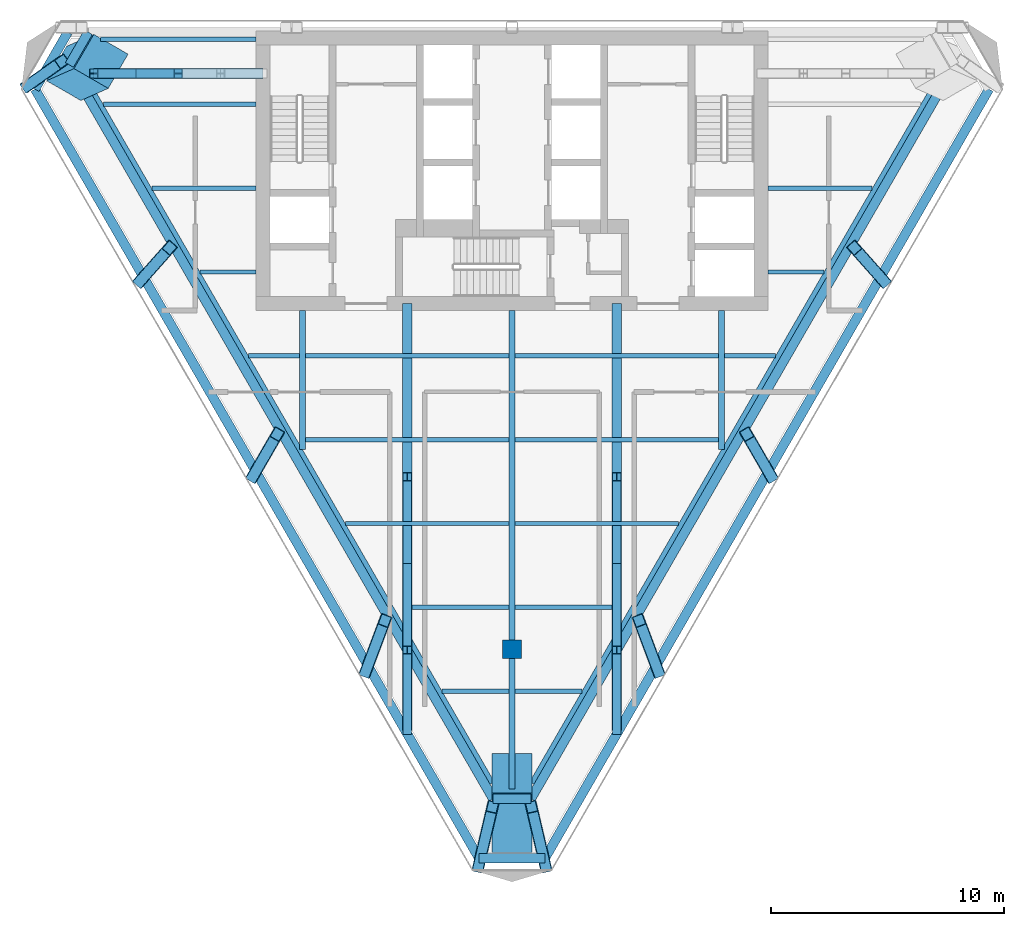
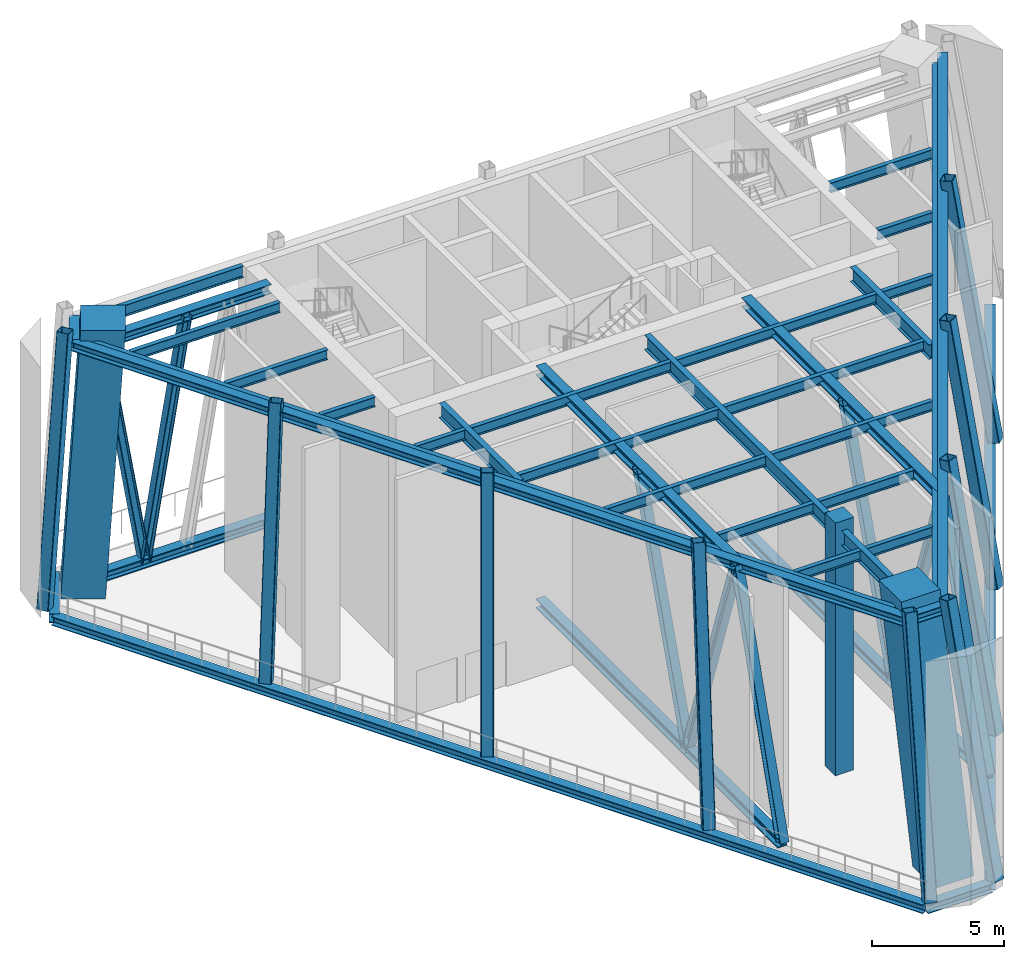
# One storey, part 1 of 11: 38 beams, 19 members, 1 column.
"""IFC4 building model written with IfcOpenShell, lengths in metres."""

from ifc_helpers import new_model, si_unit, direction, frame, origin, origin_2d, place, context, subcontext, project, spatial, rectangle, hollow_rectangle, i_section, extrude, material, material_profile, profile_set, type_object, element, save


model = new_model("IFC4")

# Units and contexts
model_context = context("Model", 3, precision=1e-05, world=origin(), true_north=direction((0.0, 1.0)))
body_context = subcontext(model_context, "Body", "Model", "MODEL_VIEW")
ifc_project = project(units=[si_unit("LENGTHUNIT", "METRE"), si_unit("AREAUNIT", "SQUARE_METRE"), si_unit("VOLUMEUNIT", "CUBIC_METRE"), si_unit("PLANEANGLEUNIT", "RADIAN"), si_unit("MASSUNIT", "GRAM", prefix="KILO")], contexts=[model_context])

# Site, building, storey
site_placement = place(None, origin())
site = spatial("IfcSite", under=ifc_project, at=site_placement, CompositionType="ELEMENT")
building_placement = place(site_placement, origin())
building = spatial("IfcBuilding", under=site, at=building_placement, Name="Aloe Facet Convention Tower", CompositionType="ELEMENT")
storey_placement = place(building_placement, frame((0.0, 0.0, 227.0)))
storey = spatial("IfcBuildingStorey", under=building, at=storey_placement, Name="L57", CompositionType="ELEMENT", Elevation=227.0)

# Column
ifc_material_1 = material(Name="Concrete C70/85", Category="concrete")
ifc_material_profile_1 = material_profile(ifc_material_1, rectangle(XDim=0.800048828125, YDim=0.800048828125, at=origin_2d()), Name="SF-GC-Z5")
ifc_profile_set_1 = profile_set([ifc_material_profile_1], Name="Concrete C70/85")
column_type = type_object("IfcColumnType", Name="SF-GC-Z5", PredefinedType="COLUMN", material=ifc_profile_set_1)
column_placement = place(storey_placement, frame((80.0, 108.0, 0.0), z_axis=(0.0, 0.0, 1.0), x_axis=(1.0, 0.0, 0.0)))
element("IfcColumn", 1, at=column_placement, inside=storey, type_object=column_type, Name="Gravity column GC-Z5-9D", PredefinedType="COLUMN", context=body_context, shape_type="SweptSolid", body=[
    extrude(rectangle(XDim=0.800048828125, YDim=0.800048828125, at=origin_2d()), origin(), (0.0, 0.0, 1.0), 11.699951171875),
])

# Beams
ifc_material_2 = material(Name="Steel S355", Category="steel")
ifc_material_profile_2 = material_profile(ifc_material_2, i_section(OverallWidth=0.19140625, OverallDepth=0.4599609375, WebThickness=0.010009765625, FlangeThickness=0.01611328125, FilletRadius=0.01025390625, at=origin_2d()), Name="UB 457x191x82")
ifc_profile_set_2 = profile_set([ifc_material_profile_2], Name="Steel S355")
beam_type_1 = type_object("IfcBeamType", Name="SF-B-UB457x191x82", PredefinedType="BEAM", material=ifc_profile_set_2)
beam_1_placement = place(storey_placement, frame((62.452392578125, 131.39990234375, 11.02001953125), z_axis=(1.0, 0.0, 0.0), x_axis=(0.0, 1.0, 0.0)))
element("IfcBeam", 2, at=beam_1_placement, inside=storey, type_object=beam_type_1, Name="Floor beam FB-Z5A-009", PredefinedType="BEAM", context=body_context, shape_type="SweptSolid", body=[
    extrude(i_section(OverallWidth=0.19140625, OverallDepth=0.4599609375, WebThickness=0.010009765625, FlangeThickness=0.01611328125, FilletRadius=0.01025390625, at=origin_2d()), origin(), (0.0, 0.0, 1.0), 6.547607421875),
])
beam_2_placement = place(storey_placement, frame((64.53076171875, 127.800048828125, 11.02001953125), z_axis=(1.0, 0.0, 0.0), x_axis=(0.0, 1.0, 0.0)))
element("IfcBeam", 3, at=beam_2_placement, inside=storey, type_object=beam_type_1, Name="Floor beam FB-Z5A-010", PredefinedType="BEAM", context=body_context, shape_type="SweptSolid", body=[
    extrude(i_section(OverallWidth=0.19140625, OverallDepth=0.4599609375, WebThickness=0.010009765625, FlangeThickness=0.01611328125, FilletRadius=0.01025390625, at=origin_2d()), origin(), (0.0, 0.0, 1.0), 4.46923828125),
])
beam_3_placement = place(storey_placement, frame((66.609130859375, 124.199951171875, 11.02001953125), z_axis=(1.0, 0.0, 0.0), x_axis=(0.0, 1.0, 0.0)))
element("IfcBeam", 4, at=beam_3_placement, inside=storey, type_object=beam_type_1, Name="Floor beam FB-Z5A-011", PredefinedType="BEAM", context=body_context, shape_type="SweptSolid", body=[
    extrude(i_section(OverallWidth=0.19140625, OverallDepth=0.4599609375, WebThickness=0.010009765625, FlangeThickness=0.01611328125, FilletRadius=0.01025390625, at=origin_2d()), origin(), (0.0, 0.0, 1.0), 2.390869140625),
])
beam_4_placement = place(storey_placement, frame((68.687744140625, 120.60009765625, 11.02001953125), z_axis=(1.0, 0.0, 0.0), x_axis=(0.0, 1.0, 0.0)))
element("IfcBeam", 5, at=beam_4_placement, inside=storey, type_object=beam_type_1, Name="Floor beam FB-Z5A-012", PredefinedType="BEAM", context=body_context, shape_type="SweptSolid", body=[
    extrude(i_section(OverallWidth=0.19140625, OverallDepth=0.4599609375, WebThickness=0.010009765625, FlangeThickness=0.01611328125, FilletRadius=0.01025390625, at=origin_2d()), origin(), (0.0, 0.0, 1.0), 2.185791015625),
])
for number, where, z_axis, x_axis, name in (
    (6, (71.12646484375, 117.0, 11.02001953125), (1.0, 0.0, 0.0), (0.0, 1.0, 0.0), "Floor beam FB-Z5A-013"),
    (7, (71.12646484375, 120.60009765625, 11.02001953125), (1.0, 0.0, 0.0), (0.0, 1.0, 0.0), "Floor beam FB-Z5A-014"),
):
    element("IfcBeam", number, at=place(storey_placement, frame(where, z_axis=z_axis, x_axis=x_axis)), inside=storey, type_object=beam_type_1, Name=name, PredefinedType="BEAM", context=body_context, shape_type="SweptSolid", body=[
        extrude(i_section(OverallWidth=0.19140625, OverallDepth=0.4599609375, WebThickness=0.010009765625, FlangeThickness=0.01611328125, FilletRadius=0.01025390625, at=origin_2d()), origin(), (0.0, 0.0, 1.0), 8.7470703125),
    ])
beam_5_placement = place(storey_placement, frame((72.844482421875, 113.39990234375, 11.02001953125), z_axis=(1.0, 0.0, 0.0), x_axis=(0.0, 1.0, 0.0)))
element("IfcBeam", 8, at=beam_5_placement, inside=storey, type_object=beam_type_1, Name="Floor beam FB-Z5A-015", PredefinedType="BEAM", context=body_context, shape_type="SweptSolid", body=[
    extrude(i_section(OverallWidth=0.19140625, OverallDepth=0.4599609375, WebThickness=0.010009765625, FlangeThickness=0.01611328125, FilletRadius=0.01025390625, at=origin_2d()), origin(), (0.0, 0.0, 1.0), 7.029052734375),
])
beam_6_placement = place(storey_placement, frame((75.7099609375, 109.800048828125, 11.02001953125), z_axis=(1.0, 0.0, 0.0), x_axis=(0.0, 1.0, 0.0)))
element("IfcBeam", 9, at=beam_6_placement, inside=storey, type_object=beam_type_1, Name="Floor beam FB-Z5A-016", PredefinedType="BEAM", context=body_context, shape_type="SweptSolid", body=[
    extrude(i_section(OverallWidth=0.19140625, OverallDepth=0.4599609375, WebThickness=0.010009765625, FlangeThickness=0.01611328125, FilletRadius=0.01025390625, at=origin_2d()), origin(), (0.0, 0.0, 1.0), 4.16357421875),
])
for number, where, z_axis, x_axis, name in (
    (10, (77.00146484375, 106.199951171875, 11.02001953125), (1.0, 0.0, 0.0), (0.0, 1.0, 0.0), "Floor beam FB-Z5A-017"),
    (11, (80.12646484375, 106.199951171875, 11.02001953125), (1.0, 0.0, 0.0), (0.0, 1.0, 0.0), "Floor beam FB-Z5A-018"),
):
    element("IfcBeam", number, at=place(storey_placement, frame(where, z_axis=z_axis, x_axis=x_axis)), inside=storey, type_object=beam_type_1, Name=name, PredefinedType="BEAM", context=body_context, shape_type="SweptSolid", body=[
        extrude(i_section(OverallWidth=0.19140625, OverallDepth=0.4599609375, WebThickness=0.010009765625, FlangeThickness=0.01611328125, FilletRadius=0.01025390625, at=origin_2d()), origin(), (0.0, 0.0, 1.0), 2.8720703125),
    ])
beam_7_placement = place(storey_placement, frame((80.12646484375, 109.800048828125, 11.02001953125), z_axis=(1.0, 0.0, 0.0), x_axis=(0.0, 1.0, 0.0)))
element("IfcBeam", 12, at=beam_7_placement, inside=storey, type_object=beam_type_1, Name="Floor beam FB-Z5A-019", PredefinedType="BEAM", context=body_context, shape_type="SweptSolid", body=[
    extrude(i_section(OverallWidth=0.19140625, OverallDepth=0.4599609375, WebThickness=0.010009765625, FlangeThickness=0.01611328125, FilletRadius=0.01025390625, at=origin_2d()), origin(), (0.0, 0.0, 1.0), 4.16357421875),
])
beam_8_placement = place(storey_placement, frame((80.12646484375, 113.39990234375, 11.02001953125), z_axis=(1.0, 0.0, 0.0), x_axis=(0.0, 1.0, 0.0)))
element("IfcBeam", 13, at=beam_8_placement, inside=storey, type_object=beam_type_1, Name="Floor beam FB-Z5A-020", PredefinedType="BEAM", context=body_context, shape_type="SweptSolid", body=[
    extrude(i_section(OverallWidth=0.19140625, OverallDepth=0.4599609375, WebThickness=0.010009765625, FlangeThickness=0.01611328125, FilletRadius=0.01025390625, at=origin_2d()), origin(), (0.0, 0.0, 1.0), 7.029052734375),
])
for number, where, z_axis, x_axis, name in (
    (14, (80.12646484375, 117.0, 11.02001953125), (1.0, 0.0, 0.0), (0.0, 1.0, 0.0), "Floor beam FB-Z5A-021"),
    (15, (80.12646484375, 120.60009765625, 11.02001953125), (1.0, 0.0, 0.0), (0.0, 1.0, 0.0), "Floor beam FB-Z5A-022"),
):
    element("IfcBeam", number, at=place(storey_placement, frame(where, z_axis=z_axis, x_axis=x_axis)), inside=storey, type_object=beam_type_1, Name=name, PredefinedType="BEAM", context=body_context, shape_type="SweptSolid", body=[
        extrude(i_section(OverallWidth=0.19140625, OverallDepth=0.4599609375, WebThickness=0.010009765625, FlangeThickness=0.01611328125, FilletRadius=0.01025390625, at=origin_2d()), origin(), (0.0, 0.0, 1.0), 8.7470703125),
    ])
beam_9_placement = place(storey_placement, frame((89.12646484375, 120.60009765625, 11.02001953125), z_axis=(1.0, 0.0, 0.0), x_axis=(0.0, 1.0, 0.0)))
element("IfcBeam", 16, at=beam_9_placement, inside=storey, type_object=beam_type_1, Name="Floor beam FB-Z5A-023", PredefinedType="BEAM", context=body_context, shape_type="SweptSolid", body=[
    extrude(i_section(OverallWidth=0.19140625, OverallDepth=0.4599609375, WebThickness=0.010009765625, FlangeThickness=0.01611328125, FilletRadius=0.01025390625, at=origin_2d()), origin(), (0.0, 0.0, 1.0), 2.185791015625),
])
beam_10_placement = place(storey_placement, frame((91.0, 124.199951171875, 11.02001953125), z_axis=(1.0, 0.0, 0.0), x_axis=(0.0, 1.0, 0.0)))
element("IfcBeam", 17, at=beam_10_placement, inside=storey, type_object=beam_type_1, Name="Floor beam FB-Z5A-024", PredefinedType="BEAM", context=body_context, shape_type="SweptSolid", body=[
    extrude(i_section(OverallWidth=0.19140625, OverallDepth=0.4599609375, WebThickness=0.010009765625, FlangeThickness=0.01611328125, FilletRadius=0.01025390625, at=origin_2d()), origin(), (0.0, 0.0, 1.0), 2.390869140625),
])
beam_11_placement = place(storey_placement, frame((91.0, 127.800048828125, 11.02001953125), z_axis=(1.0, 0.0, 0.0), x_axis=(0.0, 1.0, 0.0)))
element("IfcBeam", 18, at=beam_11_placement, inside=storey, type_object=beam_type_1, Name="Floor beam FB-Z5A-025", PredefinedType="BEAM", context=body_context, shape_type="SweptSolid", body=[
    extrude(i_section(OverallWidth=0.19140625, OverallDepth=0.4599609375, WebThickness=0.010009765625, FlangeThickness=0.01611328125, FilletRadius=0.01025390625, at=origin_2d()), origin(), (0.0, 0.0, 1.0), 4.46923828125),
])
ifc_material_3 = material(Name="Steel S355", Category="steel")
ifc_material_profile_3 = material_profile(ifc_material_3, i_section(OverallWidth=0.209228515625, OverallDepth=0.533203125, WebThickness=0.010009765625, FlangeThickness=0.015625, FilletRadius=0.0126953125, at=origin_2d()), Name="UB 533x210x92")
ifc_profile_set_3 = profile_set([ifc_material_profile_3], Name="Steel S355")
beam_type_2 = type_object("IfcBeamType", Name="SF-B-UB533x210x92", PredefinedType="BEAM", material=ifc_profile_set_3)
beam_12_placement = place(storey_placement, frame((62.32763671875, 134.1953125, 10.9833984375), z_axis=(1.0, 0.0, 0.0), x_axis=(0.0, 1.0, 0.0)))
element("IfcBeam", 19, at=beam_12_placement, inside=storey, type_object=beam_type_2, Name="Floor beam FB-Z5A-001", PredefinedType="BEAM", context=body_context, shape_type="SweptSolid", body=[
    extrude(i_section(OverallWidth=0.209228515625, OverallDepth=0.533203125, WebThickness=0.010009765625, FlangeThickness=0.015625, FilletRadius=0.0126953125, at=origin_2d()), origin(), (0.0, 0.0, 1.0), 6.67236328125),
])
for number, where, z_axis, x_axis, name in (
    (20, (79.14990234375, 102.252197265625, 10.9833984375), (-0.500002387497, 0.866024025358, 0.0), (-0.866024025358, -0.500002387497, 0.0), "Floor beam FB-Z5A-002"),
    (21, (98.402587890625, 132.65380859375, 10.9833984375), (-0.500002387497, -0.866024025358, 0.0), (0.866024025358, -0.500002387497, 0.0), "Floor beam FB-Z5A-004"),
):
    element("IfcBeam", number, at=place(storey_placement, frame(where, z_axis=z_axis, x_axis=x_axis)), inside=storey, type_object=beam_type_2, Name=name, PredefinedType="BEAM", context=body_context, shape_type="SweptSolid", body=[
        extrude(i_section(OverallWidth=0.209228515625, OverallDepth=0.533203125, WebThickness=0.010009765625, FlangeThickness=0.015625, FilletRadius=0.0126953125, at=origin_2d()), origin(), (0.0, 0.0, 1.0), 35.104736328125),
    ])
ifc_material_4 = material(Name="Steel S355", Category="steel")
ifc_material_profile_4 = material_profile(ifc_material_4, i_section(OverallWidth=0.2529296875, OverallDepth=0.677978515625, WebThickness=0.01171875, FlangeThickness=0.01611328125, FilletRadius=0.01513671875, at=origin_2d()), Name="UB 686x254x125")
ifc_profile_set_4 = profile_set([ifc_material_profile_4], Name="Steel S355")
beam_type_3 = type_object("IfcBeamType", Name="SF-B-UB686x254x125", PredefinedType="BEAM", material=ifc_profile_set_4)
beam_13_placement = place(storey_placement, frame((71.0, 122.550048828125, 10.910888671875), z_axis=(0.0, -1.0, 0.0), x_axis=(1.0, 0.0, 0.0)))
element("IfcBeam", 22, at=beam_13_placement, inside=storey, type_object=beam_type_3, Name="Floor beam FB-Z5A-005", PredefinedType="BEAM", context=body_context, shape_type="SweptSolid", body=[
    extrude(i_section(OverallWidth=0.2529296875, OverallDepth=0.677978515625, WebThickness=0.01171875, FlangeThickness=0.01611328125, FilletRadius=0.01513671875, at=origin_2d()), origin(), (0.0, 0.0, 1.0), 5.96240234375),
])
beam_14_placement = place(storey_placement, frame((80.0, 107.60009765625, 10.910888671875), z_axis=(0.0, -1.0, 0.0), x_axis=(1.0, 0.0, 0.0)))
element("IfcBeam", 23, at=beam_14_placement, inside=storey, type_object=beam_type_3, Name="Floor beam FB-Z5A-006", PredefinedType="BEAM", context=body_context, shape_type="SweptSolid", body=[
    extrude(i_section(OverallWidth=0.2529296875, OverallDepth=0.677978515625, WebThickness=0.01171875, FlangeThickness=0.01611328125, FilletRadius=0.01513671875, at=origin_2d()), origin(), (0.0, 0.0, 1.0), 5.60498046875),
])
beam_15_placement = place(storey_placement, frame((80.0, 122.550048828125, 10.910888671875), z_axis=(0.0, -1.0, 0.0), x_axis=(1.0, 0.0, 0.0)))
element("IfcBeam", 24, at=beam_15_placement, inside=storey, type_object=beam_type_3, Name="Floor beam FB-Z5A-007", PredefinedType="BEAM", context=body_context, shape_type="SweptSolid", body=[
    extrude(i_section(OverallWidth=0.2529296875, OverallDepth=0.677978515625, WebThickness=0.01171875, FlangeThickness=0.01611328125, FilletRadius=0.01513671875, at=origin_2d()), origin(), (0.0, 0.0, 1.0), 14.150146484375),
])
beam_16_placement = place(storey_placement, frame((89.0, 122.550048828125, 10.910888671875), z_axis=(0.0, -1.0, 0.0), x_axis=(1.0, 0.0, 0.0)))
element("IfcBeam", 25, at=beam_16_placement, inside=storey, type_object=beam_type_3, Name="Floor beam FB-Z5A-008", PredefinedType="BEAM", context=body_context, shape_type="SweptSolid", body=[
    extrude(i_section(OverallWidth=0.2529296875, OverallDepth=0.677978515625, WebThickness=0.01171875, FlangeThickness=0.01611328125, FilletRadius=0.01513671875, at=origin_2d()), origin(), (0.0, 0.0, 1.0), 5.96240234375),
])
ifc_material_5 = material(Name="Steel S355", Category="steel")
ifc_material_profile_5 = material_profile(ifc_material_5, i_section(OverallWidth=0.403076171875, OverallDepth=0.406494140625, WebThickness=0.0205078125, FlangeThickness=0.032958984375, FilletRadius=0.01513671875, at=origin_2d()), Name="UC 356x406x340")
ifc_profile_set_5 = profile_set([ifc_material_profile_5], Name="Steel S355")
beam_type_4 = type_object("IfcBeamType", Name="STW-BC-L57", PredefinedType="BEAM", material=ifc_profile_set_5)
beam_17_placement = place(storey_placement, frame((100.4873046875, 132.055419921875, -0.503173828125), z_axis=(-0.499999417689, -0.866025739982, 0.0), x_axis=(0.866025739982, -0.499999417689, 0.0)))
element("IfcBeam", 26, at=beam_17_placement, inside=storey, type_object=beam_type_4, Name="Belt chord BC-L57-L-02", PredefinedType="BEAM", context=body_context, shape_type="SweptSolid", body=[
    extrude(i_section(OverallWidth=0.403076171875, OverallDepth=0.406494140625, WebThickness=0.0205078125, FlangeThickness=0.032958984375, FilletRadius=0.01513671875, at=origin_2d()), origin(), (0.0, 0.0, 1.0), 38.15185546875),
])
beam_18_placement = place(storey_placement, frame((81.411376953125, 99.014892578125, -0.503173828125), z_axis=(-1.0, 0.0, 0.0), x_axis=(0.0, -1.0, 0.0)))
element("IfcBeam", 27, at=beam_18_placement, inside=storey, type_object=beam_type_4, Name="Belt chord BC-L57-L-03", PredefinedType="BEAM", context=body_context, shape_type="SweptSolid", body=[
    extrude(i_section(OverallWidth=0.403076171875, OverallDepth=0.406494140625, WebThickness=0.0205078125, FlangeThickness=0.032958984375, FilletRadius=0.01513671875, at=origin_2d()), origin(), (0.0, 0.0, 1.0), 2.82275390625),
])
beam_19_placement = place(storey_placement, frame((78.588623046875, 99.014892578125, -0.503173828125), z_axis=(-0.499999417689, 0.866025739982, 0.0), x_axis=(-0.866025739982, -0.499999417689, 0.0)))
element("IfcBeam", 28, at=beam_19_placement, inside=storey, type_object=beam_type_4, Name="Belt chord BC-L57-L-04", PredefinedType="BEAM", context=body_context, shape_type="SweptSolid", body=[
    extrude(i_section(OverallWidth=0.403076171875, OverallDepth=0.406494140625, WebThickness=0.0205078125, FlangeThickness=0.032958984375, FilletRadius=0.01513671875, at=origin_2d()), origin(), (0.0, 0.0, 1.0), 38.15185546875),
])
beam_20_placement = place(storey_placement, frame((59.5126953125, 132.055419921875, -0.503173828125), z_axis=(0.499999465141, 0.866025712585, 0.0), x_axis=(-0.866025712585, 0.499999465141, 0.0)))
element("IfcBeam", 29, at=beam_20_placement, inside=storey, type_object=beam_type_4, Name="Belt chord BC-L57-L-05", PredefinedType="BEAM", context=body_context, shape_type="SweptSolid", body=[
    extrude(i_section(OverallWidth=0.403076171875, OverallDepth=0.406494140625, WebThickness=0.0205078125, FlangeThickness=0.032958984375, FilletRadius=0.01513671875, at=origin_2d()), origin(), (0.0, 0.0, 1.0), 2.82275390625),
])
beam_21_placement = place(storey_placement, frame((99.0087890625, 133.0947265625, 11.046875), z_axis=(-0.499999625423, -0.866025620046, 0.0), x_axis=(0.866025620046, -0.499999625423, 0.0)))
element("IfcBeam", 30, at=beam_21_placement, inside=storey, type_object=beam_type_4, Name="Belt chord BC-L57-U-02", PredefinedType="BEAM", context=body_context, shape_type="SweptSolid", body=[
    extrude(i_section(OverallWidth=0.403076171875, OverallDepth=0.406494140625, WebThickness=0.0205078125, FlangeThickness=0.032958984375, FilletRadius=0.01513671875, at=origin_2d()), origin(), (0.0, 0.0, 1.0), 36.39501953125),
])
beam_22_placement = place(storey_placement, frame((80.811279296875, 101.57568359375, 11.046875), z_axis=(-1.0, 0.0, 0.0), x_axis=(0.0, -1.0, 0.0)))
element("IfcBeam", 31, at=beam_22_placement, inside=storey, type_object=beam_type_4, Name="Belt chord BC-L57-U-03", PredefinedType="BEAM", context=body_context, shape_type="SweptSolid", body=[
    extrude(i_section(OverallWidth=0.403076171875, OverallDepth=0.406494140625, WebThickness=0.0205078125, FlangeThickness=0.032958984375, FilletRadius=0.01513671875, at=origin_2d()), origin(), (0.0, 0.0, 1.0), 1.62255859375),
])
beam_23_placement = place(storey_placement, frame((79.188720703125, 101.57568359375, 11.046875), z_axis=(-0.499999625423, 0.866025620046, 0.0), x_axis=(-0.866025620046, -0.499999625423, 0.0)))
element("IfcBeam", 32, at=beam_23_placement, inside=storey, type_object=beam_type_4, Name="Belt chord BC-L57-U-04", PredefinedType="BEAM", context=body_context, shape_type="SweptSolid", body=[
    extrude(i_section(OverallWidth=0.403076171875, OverallDepth=0.406494140625, WebThickness=0.0205078125, FlangeThickness=0.032958984375, FilletRadius=0.01513671875, at=origin_2d()), origin(), (0.0, 0.0, 1.0), 36.39501953125),
])
beam_24_placement = place(storey_placement, frame((60.9912109375, 133.0947265625, 11.046875), z_axis=(0.499974254476, 0.866040267459, 0.0), x_axis=(-0.866040267459, 0.499974254476, 0.0)))
element("IfcBeam", 33, at=beam_24_placement, inside=storey, type_object=beam_type_4, Name="Belt chord BC-L57-U-05", PredefinedType="BEAM", context=body_context, shape_type="SweptSolid", body=[
    extrude(i_section(OverallWidth=0.403076171875, OverallDepth=0.406494140625, WebThickness=0.0205078125, FlangeThickness=0.032958984375, FilletRadius=0.01513671875, at=origin_2d()), origin(), (0.0, 0.0, 1.0), 1.62255859375),
])

# Members
ifc_material_6 = material(Name="Steel S355", Category="steel")
ifc_material_profile_6 = material_profile(ifc_material_6, hollow_rectangle(XDim=0.5, YDim=0.5, WallThickness=0.02490234375, InnerFilletRadius=0.02490234375, OuterFilletRadius=0.050048828125, at=origin_2d()), Name="SHS 500x500x25")
ifc_profile_set_6 = profile_set([ifc_material_profile_6], Name="Steel S355")
member_type_1 = type_object("IfcMemberType", Name="STW-BW-L57", PredefinedType="BRACE", material=ifc_profile_set_6)
member_1_placement = place(storey_placement, frame((59.1953125, 132.20556640625, 0.0), z_axis=(0.124868176268, 0.08776861407, 0.988283668255), x_axis=(-0.575048186148, 0.818119541148, 0.0)))
element("IfcMember", 34, at=member_1_placement, inside=storey, type_object=member_type_1, Name="Belt web BW-L57-F2-01", PredefinedType="BRACE", context=body_context, shape_type="SweptSolid", body=[
    extrude(hollow_rectangle(XDim=0.5, YDim=0.5, WallThickness=0.02490234375, InnerFilletRadius=0.02490234375, OuterFilletRadius=0.050048828125, at=origin_2d()), origin(), (0.0, 0.0, 1.0), 11.838623046875),
])
member_2_placement = place(storey_placement, frame((64.036376953125, 123.8203125, 0.0), z_axis=(0.106201821795, 0.119775716397, 0.987104326203), x_axis=(-0.748232250331, 0.663436884386, 0.0)))
element("IfcMember", 35, at=member_2_placement, inside=storey, type_object=member_type_1, Name="Belt web BW-L57-F2-02", PredefinedType="BRACE", context=body_context, shape_type="SweptSolid", body=[
    extrude(hollow_rectangle(XDim=0.5, YDim=0.5, WallThickness=0.02490234375, InnerFilletRadius=0.02490234375, OuterFilletRadius=0.050048828125, at=origin_2d()), origin(), (0.0, 0.0, 1.0), 11.852783203125),
])
member_3_placement = place(storey_placement, frame((68.87744140625, 115.435302734375, 0.0), z_axis=(0.087460552996, 0.151479130195, 0.984583528597), x_axis=(-0.866015411258, 0.500017307165, 0.0)))
element("IfcMember", 36, at=member_3_placement, inside=storey, type_object=member_type_1, Name="Belt web BW-L57-F2-03", PredefinedType="BRACE", context=body_context, shape_type="SweptSolid", body=[
    extrude(hollow_rectangle(XDim=0.5, YDim=0.5, WallThickness=0.02490234375, InnerFilletRadius=0.02490234375, OuterFilletRadius=0.050048828125, at=origin_2d()), origin(), (0.0, 0.0, 1.0), 11.883056640625),
])
member_4_placement = place(storey_placement, frame((73.71875, 107.050048828125, 0.0), z_axis=(0.068701522236, 0.182774291061, 0.980751578826), x_axis=(-0.936057540721, 0.351846956018, 0.0)))
element("IfcMember", 37, at=member_4_placement, inside=storey, type_object=member_type_1, Name="Belt web BW-L57-F2-04", PredefinedType="BRACE", context=body_context, shape_type="SweptSolid", body=[
    extrude(hollow_rectangle(XDim=0.5, YDim=0.5, WallThickness=0.02490234375, InnerFilletRadius=0.02490234375, OuterFilletRadius=0.050048828125, at=origin_2d()), origin(), (0.0, 0.0, 1.0), 11.9296875),
])
for number, where, z_axis, x_axis, name in (
    (38, (78.559814453125, 98.6650390625, 0.0), (0.050041749347, 0.213542680592, 0.975651242447), (-0.973623721312, 0.228159701305, 0.0), "Belt web BW-L57-F2-05"),
    (39, (81.440185546875, 98.6650390625, 0.0), (-0.050041749347, 0.213542680592, 0.975651242447), (-0.973623721312, -0.228159701305, 0.0), "Belt web BW-L57-F3-01"),
):
    element("IfcMember", number, at=place(storey_placement, frame(where, z_axis=z_axis, x_axis=x_axis)), inside=storey, type_object=member_type_1, Name=name, PredefinedType="BRACE", context=body_context, shape_type="SweptSolid", body=[
        extrude(hollow_rectangle(XDim=0.5, YDim=0.5, WallThickness=0.02490234375, InnerFilletRadius=0.02490234375, OuterFilletRadius=0.050048828125, at=origin_2d()), origin(), (0.0, 0.0, 1.0), 11.991943359375),
    ])
member_5_placement = place(storey_placement, frame((86.28125, 107.050048828125, 0.0), z_axis=(-0.068701522236, 0.182774291061, 0.980751578826), x_axis=(-0.936057540721, -0.351846956018, 0.0)))
element("IfcMember", 40, at=member_5_placement, inside=storey, type_object=member_type_1, Name="Belt web BW-L57-F3-02", PredefinedType="BRACE", context=body_context, shape_type="SweptSolid", body=[
    extrude(hollow_rectangle(XDim=0.5, YDim=0.5, WallThickness=0.02490234375, InnerFilletRadius=0.02490234375, OuterFilletRadius=0.050048828125, at=origin_2d()), origin(), (0.0, 0.0, 1.0), 11.9296875),
])
member_6_placement = place(storey_placement, frame((91.12255859375, 115.435302734375, 0.0), z_axis=(-0.087460552996, 0.151479130195, 0.984583528597), x_axis=(-0.866015411258, -0.500017307165, 0.0)))
element("IfcMember", 41, at=member_6_placement, inside=storey, type_object=member_type_1, Name="Belt web BW-L57-F3-03", PredefinedType="BRACE", context=body_context, shape_type="SweptSolid", body=[
    extrude(hollow_rectangle(XDim=0.5, YDim=0.5, WallThickness=0.02490234375, InnerFilletRadius=0.02490234375, OuterFilletRadius=0.050048828125, at=origin_2d()), origin(), (0.0, 0.0, 1.0), 11.883056640625),
])
member_7_placement = place(storey_placement, frame((95.963623046875, 123.8203125, 0.0), z_axis=(-0.106201821795, 0.119775716397, 0.987104326203), x_axis=(-0.748232250331, -0.663436884386, 0.0)))
element("IfcMember", 42, at=member_7_placement, inside=storey, type_object=member_type_1, Name="Belt web BW-L57-F3-04", PredefinedType="BRACE", context=body_context, shape_type="SweptSolid", body=[
    extrude(hollow_rectangle(XDim=0.5, YDim=0.5, WallThickness=0.02490234375, InnerFilletRadius=0.02490234375, OuterFilletRadius=0.050048828125, at=origin_2d()), origin(), (0.0, 0.0, 1.0), 11.852783203125),
])
ifc_material_7 = material(Name="Concrete C80/95", Category="concrete")
ifc_material_profile_7 = material_profile(ifc_material_7, rectangle(XDim=1.699951171875, YDim=1.699951171875, at=origin_2d()), Name="STW-MJ-Z4")
ifc_profile_set_7 = profile_set([ifc_material_profile_7], Name="Concrete C80/95")
member_type_2 = type_object("IfcMemberType", Name="STW-MJ-Z4", PredefinedType="STRUT", material=ifc_profile_set_7)
member_8_placement = place(storey_placement, frame((61.171142578125, 132.727783203125, 0.0), z_axis=(0.0, 0.0, 1.0), x_axis=(-0.5, -0.866025403784, 0.0)))
element("IfcMember", 43, at=member_8_placement, inside=storey, type_object=member_type_2, Name="Transfer jog MC-NW-L57", PredefinedType="STRUT", context=body_context, shape_type="SweptSolid", body=[
    extrude(rectangle(XDim=1.699951171875, YDim=1.699951171875, at=origin_2d()), origin(), (-0.08827406926, 0.064619072245, 0.993998020219), 11.7705078125),
])
member_9_placement = place(storey_placement, frame((80.0, 100.114990234375, 0.0), z_axis=(0.0, 0.0, 1.0), x_axis=(1.0, 0.0, 0.0)))
element("IfcMember", 44, at=member_9_placement, inside=storey, type_object=member_type_2, Name="Transfer jog MC-S-L57", PredefinedType="STRUT", context=body_context, shape_type="SweptSolid", body=[
    extrude(rectangle(XDim=1.699951171875, YDim=1.699951171875, at=origin_2d()), origin(), (0.0, 0.213810558107, 0.976875143118), 11.976806640625),
])

# Beams
ifc_material_8 = material(Name="Steel S355", Category="steel")
ifc_material_profile_8 = material_profile(ifc_material_8, i_section(OverallWidth=0.412109375, OverallDepth=0.4365234375, WebThickness=0.035888671875, FlangeThickness=0.048095703125, FilletRadius=0.01513671875, at=origin_2d()), Name="UC 356x406x467")
ifc_profile_set_8 = profile_set([ifc_material_profile_8], Name="Steel S355")
beam_type_5 = type_object("IfcBeamType", Name="STW-OC-L57", PredefinedType="BEAM", material=ifc_profile_set_8)
for number, where, z_axis, x_axis, name in (
    (45, (69.300048828125, 132.727783203125, 0.248291015625), (-1.0, 0.0, 0.0), (0.0, -1.0, 0.0), "Outrigger chord OR-L57-NW-B"),
    (46, (69.300048828125, 132.727783203125, 11.03173828125), (-1.0, 0.0, 0.0), (0.0, -1.0, 0.0), "Outrigger chord OR-L57-NW-T"),
):
    element("IfcBeam", number, at=place(storey_placement, frame(where, z_axis=z_axis, x_axis=x_axis)), inside=storey, type_object=beam_type_5, Name=name, PredefinedType="BEAM", context=body_context, shape_type="SweptSolid", body=[
        extrude(i_section(OverallWidth=0.412109375, OverallDepth=0.4365234375, WebThickness=0.035888671875, FlangeThickness=0.048095703125, FilletRadius=0.01513671875, at=origin_2d()), origin(), (0.0, 0.0, 1.0), 7.267822265625),
    ])
beam_25_placement = place(storey_placement, frame((75.5, 122.85009765625, 0.248291015625), z_axis=(0.0, -1.0, 0.0), x_axis=(1.0, 0.0, 0.0)))
element("IfcBeam", 47, at=beam_25_placement, inside=storey, type_object=beam_type_5, Name="Outrigger chord OR-L57-S1-B", PredefinedType="BEAM", context=body_context, shape_type="SweptSolid", body=[
    extrude(i_section(OverallWidth=0.412109375, OverallDepth=0.4365234375, WebThickness=0.035888671875, FlangeThickness=0.048095703125, FilletRadius=0.01513671875, at=origin_2d()), origin(), (0.0, 0.0, 1.0), 18.33544921875),
])
beam_26_placement = place(storey_placement, frame((75.5, 122.85009765625, 11.03173828125), z_axis=(0.0, -1.0, 0.0), x_axis=(1.0, 0.0, 0.0)))
element("IfcBeam", 48, at=beam_26_placement, inside=storey, type_object=beam_type_5, Name="Outrigger chord OR-L57-S1-T", PredefinedType="BEAM", context=body_context, shape_type="SweptSolid", body=[
    extrude(i_section(OverallWidth=0.412109375, OverallDepth=0.4365234375, WebThickness=0.035888671875, FlangeThickness=0.048095703125, FilletRadius=0.01513671875, at=origin_2d()), origin(), (0.0, 0.0, 1.0), 14.88525390625),
])
beam_27_placement = place(storey_placement, frame((84.5, 122.85009765625, 0.248291015625), z_axis=(0.0, -1.0, 0.0), x_axis=(1.0, 0.0, 0.0)))
element("IfcBeam", 49, at=beam_27_placement, inside=storey, type_object=beam_type_5, Name="Outrigger chord OR-L57-S2-B", PredefinedType="BEAM", context=body_context, shape_type="SweptSolid", body=[
    extrude(i_section(OverallWidth=0.412109375, OverallDepth=0.4365234375, WebThickness=0.035888671875, FlangeThickness=0.048095703125, FilletRadius=0.01513671875, at=origin_2d()), origin(), (0.0, 0.0, 1.0), 18.33544921875),
])
beam_28_placement = place(storey_placement, frame((84.5, 122.85009765625, 11.03173828125), z_axis=(0.0, -1.0, 0.0), x_axis=(1.0, 0.0, 0.0)))
element("IfcBeam", 50, at=beam_28_placement, inside=storey, type_object=beam_type_5, Name="Outrigger chord OR-L57-S2-T", PredefinedType="BEAM", context=body_context, shape_type="SweptSolid", body=[
    extrude(i_section(OverallWidth=0.412109375, OverallDepth=0.4365234375, WebThickness=0.035888671875, FlangeThickness=0.048095703125, FilletRadius=0.01513671875, at=origin_2d()), origin(), (0.0, 0.0, 1.0), 14.88525390625),
])

# Members
ifc_material_9 = material(Name="Steel S355", Category="steel")
ifc_material_profile_9 = material_profile(ifc_material_9, i_section(OverallWidth=0.374755859375, OverallDepth=0.37451171875, WebThickness=0.0166015625, FlangeThickness=0.027099609375, FilletRadius=0.01513671875, at=origin_2d()), Name="UC 356x368x202")
ifc_profile_set_9 = profile_set([ifc_material_profile_9], Name="Steel S355")
member_type_3 = type_object("IfcMemberType", Name="STW-OD-L57", PredefinedType="BRACE", material=ifc_profile_set_9)
for number, where, z_axis, x_axis, name in (
    (51, (65.666015625, 132.727783203125, 11.03173828125), (-0.166147369187, 0.0, -0.986100933836), (0.0, -1.0, 0.0), "Outrigger diagonal OR-L57-NW-D03"),
    (52, (63.84912109375, 132.727783203125, 0.248291015625), (-0.166147369187, 0.0, 0.986100933836), (0.0, -1.0, 0.0), "Outrigger diagonal OR-L57-NW-D04"),
):
    element("IfcMember", number, at=place(storey_placement, frame(where, z_axis=z_axis, x_axis=x_axis)), inside=storey, type_object=member_type_3, Name=name, PredefinedType="BRACE", context=body_context, shape_type="SweptSolid", body=[
        extrude(i_section(OverallWidth=0.374755859375, OverallDepth=0.37451171875, WebThickness=0.0166015625, FlangeThickness=0.027099609375, FilletRadius=0.01513671875, at=origin_2d()), origin(), (0.0, 0.0, 1.0), 10.935546875),
    ])
for number, where, z_axis, x_axis, name in (
    (53, (75.5, 115.407470703125, 11.03173828125), (0.0, -0.326226137413, -0.945291757749), (1.0, 0.0, 0.0), "Outrigger diagonal OR-L57-S1-D01"),
    (54, (75.5, 111.68603515625, 0.248291015625), (0.0, -0.326207013154, 0.945298357435), (1.0, 0.0, 0.0), "Outrigger diagonal OR-L57-S1-D02"),
):
    element("IfcMember", number, at=place(storey_placement, frame(where, z_axis=z_axis, x_axis=x_axis)), inside=storey, type_object=member_type_3, Name=name, PredefinedType="BRACE", context=body_context, shape_type="SweptSolid", body=[
        extrude(i_section(OverallWidth=0.374755859375, OverallDepth=0.37451171875, WebThickness=0.0166015625, FlangeThickness=0.027099609375, FilletRadius=0.01513671875, at=origin_2d()), origin(), (0.0, 0.0, 1.0), 11.407470703125),
    ])
member_10_placement = place(storey_placement, frame((75.5, 107.96484375, 11.03173828125), z_axis=(0.0, -0.304735041022, -0.952437165787), x_axis=(1.0, 0.0, 0.0)))
element("IfcMember", 55, at=member_10_placement, inside=storey, type_object=member_type_3, Name="Outrigger diagonal OR-L57-S1-D03", PredefinedType="BRACE", context=body_context, shape_type="SweptSolid", body=[
    extrude(i_section(OverallWidth=0.374755859375, OverallDepth=0.37451171875, WebThickness=0.0166015625, FlangeThickness=0.027099609375, FilletRadius=0.01513671875, at=origin_2d()), origin(), (0.0, 0.0, 1.0), 11.322021484375),
])
for number, where, z_axis, x_axis, name in (
    (56, (84.5, 115.407470703125, 11.03173828125), (0.0, -0.326226137413, -0.945291757749), (1.0, 0.0, 0.0), "Outrigger diagonal OR-L57-S2-D01"),
    (57, (84.5, 111.68603515625, 0.248291015625), (0.0, -0.326207013154, 0.945298357435), (1.0, 0.0, 0.0), "Outrigger diagonal OR-L57-S2-D02"),
):
    element("IfcMember", number, at=place(storey_placement, frame(where, z_axis=z_axis, x_axis=x_axis)), inside=storey, type_object=member_type_3, Name=name, PredefinedType="BRACE", context=body_context, shape_type="SweptSolid", body=[
        extrude(i_section(OverallWidth=0.374755859375, OverallDepth=0.37451171875, WebThickness=0.0166015625, FlangeThickness=0.027099609375, FilletRadius=0.01513671875, at=origin_2d()), origin(), (0.0, 0.0, 1.0), 11.407470703125),
    ])
member_11_placement = place(storey_placement, frame((84.5, 107.96484375, 11.03173828125), z_axis=(0.0, -0.304735041022, -0.952437165787), x_axis=(1.0, 0.0, 0.0)))
element("IfcMember", 58, at=member_11_placement, inside=storey, type_object=member_type_3, Name="Outrigger diagonal OR-L57-S2-D03", PredefinedType="BRACE", context=body_context, shape_type="SweptSolid", body=[
    extrude(i_section(OverallWidth=0.374755859375, OverallDepth=0.37451171875, WebThickness=0.0166015625, FlangeThickness=0.027099609375, FilletRadius=0.01513671875, at=origin_2d()), origin(), (0.0, 0.0, 1.0), 11.322021484375),
])

save(model, "model.ifc")
